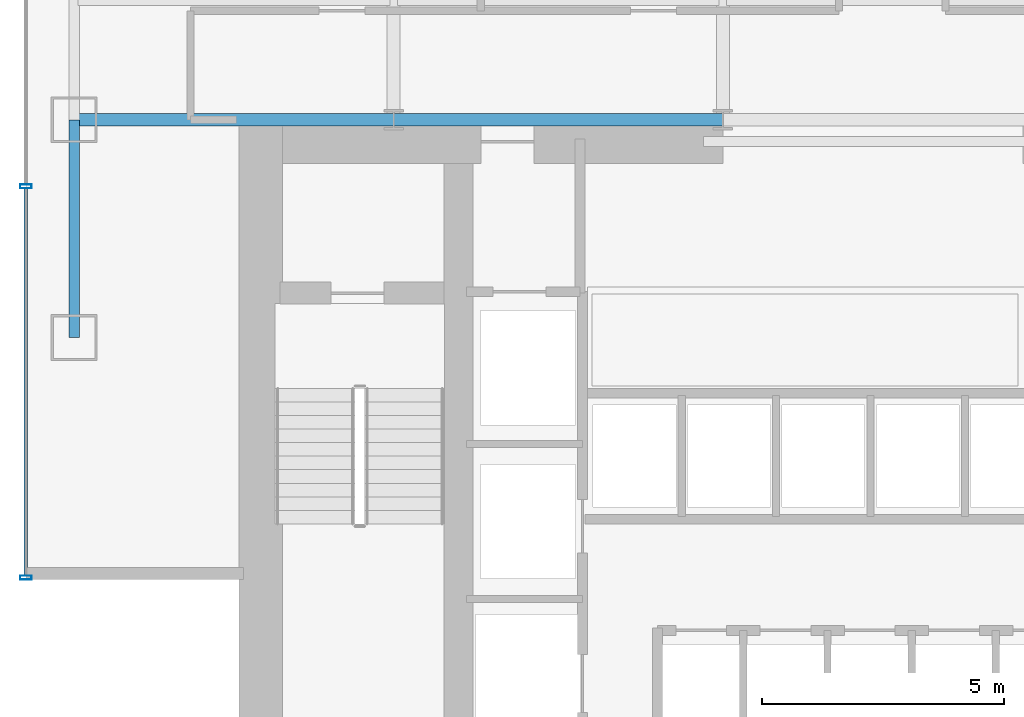
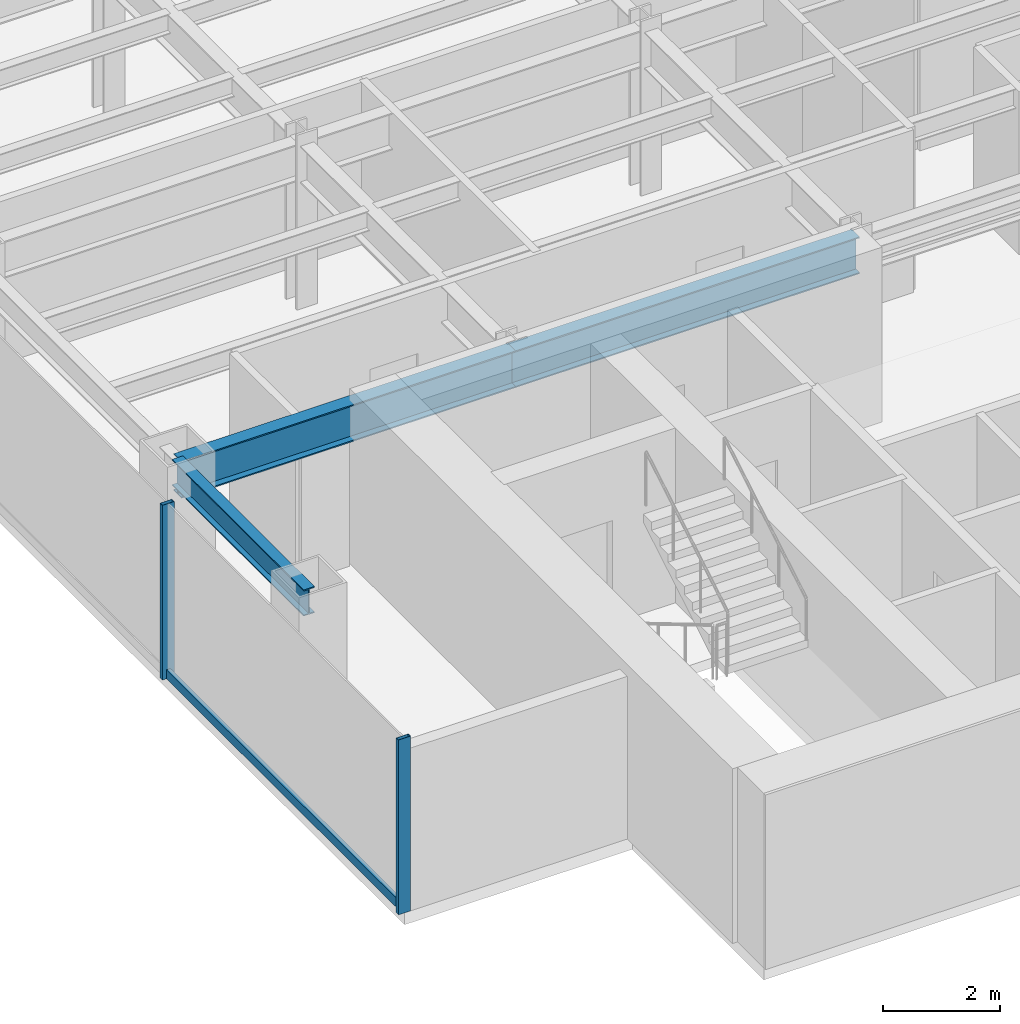
# One storey, part 2 of 22: 3 beams, 3 members, 1 element without a shape of its own.
"""IFC4 building model written with IfcOpenShell, lengths in metres."""

import ifcopenshell
import ifcopenshell.guid

model = None  # the IFC model being written
_history = None  # IfcOwnerHistory: only IFC2X3 demands one
_inside = {}  # id of a spatial element -> (the spatial element, [elements in it])
_under = {}  # id of a project, library or spatial element -> (it, [spatial elements below it])
_declared = {}  # id of a project -> (the project, [libraries it declares])
_typed = {}  # id of a type object -> (the type object, [elements of that type])
_made_of = {}  # id of a material, layer set ... -> (it, [elements and type objects made of it])


def new_model(schema):
    """Start an empty IFC model of exactly this schema.

    Asked for "IFC4X3", IfcOpenShell would pick the latest addendum, in which some entities
    have other attributes; the version numbers below select the first issue.
    IFC2X3 requires an IfcOwnerHistory on every rooted entity: one is made here for all.
    """
    global model, _history
    if schema == "IFC4X3":
        model = ifcopenshell.file(schema_version=(4, 3, 0, 0))
    else:
        model = ifcopenshell.file(schema=schema)
    _inside.clear()
    _under.clear()
    _declared.clear()
    _typed.clear()
    _made_of.clear()
    _history = None
    if model.schema == "IFC2X3":
        org = make("IfcOrganization", Name="unknown")
        user = make(
            "IfcPersonAndOrganization",
            ThePerson=make("IfcPerson", FamilyName="unknown"),
            TheOrganization=org,
        )
        app = make(
            "IfcApplication",
            ApplicationDeveloper=org,
            Version="unknown",
            ApplicationFullName="unknown",
            ApplicationIdentifier="unknown",
        )
        _history = make(
            "IfcOwnerHistory",
            OwningUser=user,
            OwningApplication=app,
            ChangeAction="ADDED",
            CreationDate=0,
        )
    return model


def make(cls, **values):
    """One entity of the class cls with the attributes given. An attribute that is None is left unset."""
    return model.create_entity(
        cls, **{name: value for name, value in values.items() if value is not None}
    )


def rooted(cls, **values):
    """An entity with a GlobalId (a new one), such as an element, a storey or a relation."""
    return make(cls, GlobalId=ifcopenshell.guid.new(), OwnerHistory=_history, **values)


def si_unit(unit_type, name, prefix=None):
    """IfcSIUnit, for example si_unit("LENGTHUNIT", "METRE", prefix="MILLI")."""
    return make("IfcSIUnit", UnitType=unit_type, Prefix=prefix, Name=name)


def derived_unit(unit_type, elements):
    """IfcDerivedUnit: a product of units, each with its exponent."""
    return make(
        "IfcDerivedUnit",
        Elements=[
            make("IfcDerivedUnitElement", Unit=unit, Exponent=power)
            for unit, power in elements
        ],
        UnitType=unit_type,
    )


def assignment(units):
    """IfcUnitAssignment: the units of a project."""
    return None if units is None else make("IfcUnitAssignment", Units=units)


def point(xyz):
    """IfcCartesianPoint."""
    return None if xyz is None else make("IfcCartesianPoint", Coordinates=xyz)


def direction(xyz):
    """IfcDirection."""
    return None if xyz is None else make("IfcDirection", DirectionRatios=xyz)


def frame(location, z_axis=None, x_axis=None):
    """IfcAxis2Placement3D, a coordinate frame: its origin and axes. An axis left out is left unset."""
    return make(
        "IfcAxis2Placement3D",
        Location=point(location),
        Axis=direction(z_axis),
        RefDirection=direction(x_axis),
    )


def frame_2d(location, x_axis=None):
    """IfcAxis2Placement2D, a coordinate frame in the plane: its origin and x axis."""
    return make(
        "IfcAxis2Placement2D", Location=point(location), RefDirection=direction(x_axis)
    )


def origin():
    """The frame at (0, 0, 0) with its axes left unset."""
    return frame((0.0, 0.0, 0.0))


def origin_2d():
    """The frame at (0, 0) in the plane with its x axis left unset."""
    return frame_2d((0.0, 0.0))


def place(relative_to, where):
    """IfcLocalPlacement: puts the frame where relative to a parent placement (None: the world)."""
    return make(
        "IfcLocalPlacement", PlacementRelTo=relative_to, RelativePlacement=where
    )


def context(
    kind, dimensions, precision=None, world=None, true_north=None, identifier=None
):
    """IfcGeometricRepresentationContext, for example the 3D "Model" context."""
    return make(
        "IfcGeometricRepresentationContext",
        ContextIdentifier=identifier,
        ContextType=kind,
        CoordinateSpaceDimension=dimensions,
        Precision=precision,
        WorldCoordinateSystem=world,
        TrueNorth=true_north,
    )


def subcontext(parent, identifier, kind, view, scale=None):
    """IfcGeometricRepresentationSubContext, for example "Body" below "Model"."""
    return make(
        "IfcGeometricRepresentationSubContext",
        ContextIdentifier=identifier,
        ContextType=kind,
        ParentContext=parent,
        TargetScale=scale,
        TargetView=view,
    )


def project(units=None, contexts=None):
    """IfcProject with its units and contexts."""
    return rooted(
        "IfcProject",
        Name="project",
        RepresentationContexts=contexts,
        UnitsInContext=assignment(units),
    )


def spatial(cls, under=None, at=None, **own):
    """A site, building, storey or space (cls), placed at a placement, below another one or the project."""
    s = rooted(cls, ObjectPlacement=at, **own)
    if under is not None:
        _under.setdefault(under.id(), (under, []))[1].append(s)
    return s


def profile(cls, at=None, kind="AREA", **sizes):
    """A parametric profile (cls). Its sizes go by their IFC names, for example OverallWidth=200.0."""
    return make(cls, ProfileType=kind, Position=at, **sizes)


def hollow_rectangle(**sizes):
    """IfcRectangleHollowProfileDef."""
    return profile("IfcRectangleHollowProfileDef", **sizes)


def i_section(**sizes):
    """IfcIShapeProfileDef."""
    return profile("IfcIShapeProfileDef", **sizes)


def extrude(swept, where, along, depth):
    """IfcExtrudedAreaSolid: the profile swept, set in the frame where, extruded along a direction by depth."""
    return make(
        "IfcExtrudedAreaSolid",
        SweptArea=swept,
        Position=where,
        ExtrudedDirection=direction(along),
        Depth=depth,
    )


def shape(context_of_items, identifier, shape_type, items):
    """IfcShapeRepresentation: the items that make up one representation, for example the "Body"."""
    return make(
        "IfcShapeRepresentation",
        ContextOfItems=context_of_items,
        RepresentationIdentifier=identifier,
        RepresentationType=shape_type,
        Items=items,
    )


def source(mapping_origin, context_of_items, identifier, shape_type, items):
    """IfcRepresentationMap: a shape defined once, which mapped items show again and again."""
    return make(
        "IfcRepresentationMap",
        MappingOrigin=mapping_origin,
        MappedRepresentation=shape(context_of_items, identifier, shape_type, items),
    )


def transform(
    local_origin,
    x_axis=None,
    y_axis=None,
    z_axis=None,
    scale=None,
    scale2=None,
    scale3=None,
    uniform=True,
):
    """IfcCartesianTransformationOperator3D, or its non-uniform kind. x_axis, y_axis, z_axis: its Axis1, 2, 3."""
    if uniform:
        return make(
            "IfcCartesianTransformationOperator3D",
            Axis1=direction(x_axis),
            Axis2=direction(y_axis),
            LocalOrigin=point(local_origin),
            Scale=scale,
            Axis3=direction(z_axis),
        )
    return make(
        "IfcCartesianTransformationOperator3DnonUniform",
        Axis1=direction(x_axis),
        Axis2=direction(y_axis),
        LocalOrigin=point(local_origin),
        Scale=scale,
        Axis3=direction(z_axis),
        Scale2=scale2,
        Scale3=scale3,
    )


def mapped(mapping_source, mapping_target):
    """IfcMappedItem: shows the shape of a source again, moved by a transform."""
    return make(
        "IfcMappedItem", MappingSource=mapping_source, MappingTarget=mapping_target
    )


def material(Name=None, Category=None):
    """IfcMaterial."""
    return make("IfcMaterial", Name=Name, Category=Category)


def material_profile(
    of_material, cross_section, Name=None, Category=None, Priority=None
):
    """IfcMaterialProfile: a cross section and its material."""
    return make(
        "IfcMaterialProfile",
        Name=Name,
        Material=of_material,
        Profile=cross_section,
        Priority=Priority,
        Category=Category,
    )


def profile_set(profiles, Name=None, composite=None):
    """IfcMaterialProfileSet."""
    return make(
        "IfcMaterialProfileSet",
        Name=Name,
        MaterialProfiles=profiles,
        CompositeProfile=composite,
    )


def made_of(thing, what):
    """Note that an element or type object is made of a material, layer set ...; save() writes the relation."""
    if what is not None:
        _made_of.setdefault(what.id(), (what, []))[1].append(thing)
    return thing


def type_object(cls, material=None, **own):
    """A type object (cls), such as IfcWallType, which elements share."""
    return made_of(rooted(cls, **own), material)


def element(
    cls,
    number,
    at=None,
    inside=None,
    cuts=None,
    type_object=None,
    material=None,
    context=None,
    identifier="Body",
    shape_type=None,
    held_by="IfcProductDefinitionShape",
    body=None,
    shapes=None,
    **own,
):
    """One element of the class cls, such as IfcWall. Its Tag is "e" and its number.

    at: its placement. inside: the storey or other place that contains it. cuts: it is an
    opening in that element (IfcRelVoidsElement). A single representation is given by context,
    identifier, shape_type and body (its items); several are given by shapes. held_by: the class
    of the entity that holds the representations. save() writes the other relations.
    """
    e = rooted(cls, Tag="e%d" % number, ObjectPlacement=at, **own)
    if body is not None:
        shapes = [shape(context, identifier, shape_type, body)]
    if shapes is not None:
        e.Representation = make(held_by, Representations=shapes)
    if inside is not None:
        _inside.setdefault(inside.id(), (inside, []))[1].append(e)
    if cuts is not None:
        rooted(
            "IfcRelVoidsElement", RelatingBuildingElement=cuts, RelatedOpeningElement=e
        )
    if type_object is not None:
        _typed.setdefault(type_object.id(), (type_object, []))[1].append(e)
    return made_of(e, material)


def aggregate(whole, parts):
    """IfcRelAggregates: a whole, such as a stair, and the parts it consists of."""
    return rooted("IfcRelAggregates", RelatingObject=whole, RelatedObjects=parts)


def save(model, path):
    """Write the relations noted so far, then the file.

    IfcRelAggregates (storeys below a building ...), IfcRelContainedInSpatialStructure (elements
    in a storey), IfcRelDefinesByType, IfcRelAssociatesMaterial and IfcRelDeclares: one each for
    every whole, place, type object, material and project.
    """
    for whole, parts in _under.values():
        aggregate(whole, parts)
    for where, things in _inside.values():
        rooted(
            "IfcRelContainedInSpatialStructure",
            RelatedElements=things,
            RelatingStructure=where,
        )
    for kind, things in _typed.values():
        rooted("IfcRelDefinesByType", RelatedObjects=things, RelatingType=kind)
    for what, things in _made_of.values():
        rooted("IfcRelAssociatesMaterial", RelatedObjects=things, RelatingMaterial=what)
    for by, libraries in _declared.values():
        rooted("IfcRelDeclares", RelatingContext=by, RelatedDefinitions=libraries)
    model.write(path)


model = new_model("IFC4")

# Units and contexts
model_context = context("Model", 3, precision=1e-05, world=origin(), true_north=direction((0.0, 1.0)))
body_context = subcontext(model_context, "Body", "Model", "MODEL_VIEW")
ifc_project = project(units=[si_unit("LENGTHUNIT", "METRE"), si_unit("AREAUNIT", "SQUARE_METRE"), si_unit("VOLUMEUNIT", "CUBIC_METRE"), si_unit("PLANEANGLEUNIT", "RADIAN"), si_unit("MASSUNIT", "GRAM", prefix="KILO"), derived_unit("THERMALTRANSMITTANCEUNIT", [(si_unit("POWERUNIT", "WATT"), 1), (si_unit("LENGTHUNIT", "METRE"), -2), (si_unit("THERMODYNAMICTEMPERATUREUNIT", "KELVIN"), -1)])], contexts=[model_context])

# Site, building, storey
site_placement = place(None, origin())
site = spatial("IfcSite", under=ifc_project, at=site_placement, CompositionType="ELEMENT")
building_placement = place(site_placement, origin())
building = spatial("IfcBuilding", under=site, at=building_placement, Name="Skarnbrae Concourse Arena and Tower", CompositionType="ELEMENT")
storey_placement = place(building_placement, frame((0.0, 0.0, 76.300048828125)))
storey = spatial("IfcBuildingStorey", under=building, at=storey_placement, Name="L18", CompositionType="ELEMENT", Elevation=76.300048828125)

# Beams
ifc_material_1 = material(Name="Steel CSA G40.21 350W", Category="steel")
ifc_material_profile_1 = material_profile(ifc_material_1, i_section(OverallWidth=0.26806640625, OverallDepth=0.77001953125, WebThickness=0.015625, FlangeThickness=0.025390625, at=origin_2d()), Name="W760X196")
ifc_profile_set_1 = profile_set([ifc_material_profile_1], Name="Steel CSA G40.21 350W")
beam_type_1 = type_object("IfcBeamType", Name="BM-GIRD-W760X196", PredefinedType="BEAM", material=ifc_profile_set_1)
shared_shape_1 = source(origin(), body_context, "Body", "SweptSolid", [
    extrude(i_section(OverallWidth=0.26806640625, OverallDepth=0.77001953125, WebThickness=0.015625, FlangeThickness=0.025390625, at=origin_2d()), origin(), (0.0, 0.0, 1.0), 6.60009765625),
])
beam_1_placement = place(storey_placement, frame((1.0, 14.0, 3.014892578125), z_axis=(1.0, 0.0, 0.0), x_axis=(0.0, 1.0, 0.0)))
element("IfcBeam", 1, at=beam_1_placement, inside=storey, type_object=beam_type_1, Name="L18 Primary E-W girder Y14.0-1", PredefinedType="BEAM", context=body_context, shape_type="MappedRepresentation", body=[
    mapped(shared_shape_1, transform((0.0, 0.0, 0.0))),
])
shared_shape_2 = source(origin(), body_context, "Body", "SweptSolid", [
    extrude(i_section(OverallWidth=0.26806640625, OverallDepth=0.77001953125, WebThickness=0.015625, FlangeThickness=0.025390625, at=origin_2d()), origin(), (0.0, 0.0, 1.0), 6.7998046875),
])
beam_2_placement = place(storey_placement, frame((7.60009765625, 14.0, 3.014892578125), z_axis=(1.0, 0.0, 0.0), x_axis=(0.0, 1.0, 0.0)))
element("IfcBeam", 2, at=beam_2_placement, inside=storey, type_object=beam_type_1, Name="L18 Primary E-W girder Y14.0-2", PredefinedType="BEAM", context=body_context, shape_type="MappedRepresentation", body=[
    mapped(shared_shape_2, transform((0.0, 0.0, 0.0))),
])
ifc_material_profile_2 = material_profile(ifc_material_1, i_section(OverallWidth=0.214111328125, OverallDepth=0.549072265625, WebThickness=0.0146484375, FlangeThickness=0.023681640625, at=origin_2d()), Name="W530X138")
ifc_profile_set_2 = profile_set([ifc_material_profile_2], Name="Steel CSA G40.21 350W")
beam_type_2 = type_object("IfcBeamType", Name="BM-SPAN-W530X138", PredefinedType="SPANDREL", material=ifc_profile_set_2)
shared_shape_3 = source(origin(), body_context, "Body", "SweptSolid", [
    extrude(i_section(OverallWidth=0.214111328125, OverallDepth=0.549072265625, WebThickness=0.0146484375, FlangeThickness=0.023681640625, at=origin_2d()), origin(), (0.0, 0.0, 1.0), 4.5),
])
beam_3_placement = place(storey_placement, frame((1.0, 9.5, 3.12548828125), z_axis=(0.0, 1.0, 0.0), x_axis=(-1.0, 0.0, 0.0)))
element("IfcBeam", 3, at=beam_3_placement, inside=storey, type_object=beam_type_2, Name="L18 Perimeter spandrel X1.0-1", PredefinedType="SPANDREL", context=body_context, shape_type="MappedRepresentation", body=[
    mapped(shared_shape_3, transform((0.0, 0.0, 0.0))),
])

# Curtain wall, members
ifc_material_2 = material(Name="Bronze anodised aluminium 6063-T6", Category="aluminium")
curtain_wall_type = type_object("IfcCurtainWallType", Name="CW-SYS-02-LOWZONE", PredefinedType="USERDEFINED", material=ifc_material_2)
curtain_wall_placement = place(storey_placement, origin())
curtain_wall = element("IfcCurtainWall", 4, at=curtain_wall_placement, inside=storey, type_object=curtain_wall_type, Name="L18 Unitised curtain wall CW-L18-E19", ObjectType="UNITISED CURTAIN WALL", PredefinedType="USERDEFINED")
ifc_material_profile_3 = material_profile(ifc_material_2, hollow_rectangle(XDim=0.080078125, YDim=0.239990234375, WallThickness=0.0048828125, at=origin_2d()), Name="ALU-MULL-80X240")
ifc_profile_set_3 = profile_set([ifc_material_profile_3], Name="Bronze anodised aluminium 6063-T6")
member_type_1 = type_object("IfcMemberType", Name="CWM-CW-02", PredefinedType="MULLION", material=ifc_profile_set_3)
shared_shape_4 = source(origin(), body_context, "Body", "SweptSolid", [
    extrude(hollow_rectangle(XDim=0.080078125, YDim=0.239990234375, WallThickness=0.0048828125, at=origin_2d()), origin(), (0.0, 0.0, 1.0), 3.64990234375),
])
member_1_placement = place(storey_placement, frame((0.0, 12.625, 0.0), z_axis=(0.0, 0.0, 1.0), x_axis=(0.0, -1.0, 0.0)))
member_1 = element("IfcMember", 5, at=member_1_placement, type_object=member_type_1, Name="CW-L18-E19 Mullion 4", PredefinedType="MULLION", context=body_context, shape_type="MappedRepresentation", body=[
    mapped(shared_shape_4, transform((0.0, 0.0, 0.0))),
])
member_2_placement = place(storey_placement, frame((0.0, 4.5400390625, 0.0), z_axis=(0.0, 0.0, 1.0), x_axis=(0.0, -1.0, 0.0)))
member_2 = element("IfcMember", 6, at=member_2_placement, type_object=member_type_1, Name="CW-L18-E19 Mullion 5", PredefinedType="MULLION", context=body_context, shape_type="MappedRepresentation", body=[
    mapped(shared_shape_4, transform((0.0, 0.0, 0.0))),
])
ifc_material_profile_4 = material_profile(ifc_material_2, hollow_rectangle(XDim=0.080078125, YDim=0.18994140625, WallThickness=0.0048828125, at=origin_2d()), Name="ALU-TRAN-80X190")
ifc_profile_set_4 = profile_set([ifc_material_profile_4], Name="Bronze anodised aluminium 6063-T6")
member_type_2 = type_object("IfcMemberType", Name="CWT-CW-02", PredefinedType="USERDEFINED", material=ifc_profile_set_4)
shared_shape_5 = source(origin(), body_context, "Body", "SweptSolid", [
    extrude(hollow_rectangle(XDim=0.080078125, YDim=0.18994140625, WallThickness=0.0048828125, at=origin_2d()), origin(), (0.0, 0.0, 1.0), 8.0048828125),
])
member_3_placement = place(storey_placement, frame((0.0, 12.5849609375, 0.094970703125), z_axis=(0.0, -1.0, 0.0), x_axis=(1.0, 0.0, 0.0)))
member_3 = element("IfcMember", 7, at=member_3_placement, type_object=member_type_2, Name="CW-L18-E19 Transom 4", ObjectType="TRANSOM", PredefinedType="USERDEFINED", context=body_context, shape_type="MappedRepresentation", body=[
    mapped(shared_shape_5, transform((0.0, 0.0, 0.0))),
])
aggregate(curtain_wall, [member_1, member_2, member_3])

save(model, "model.ifc")
